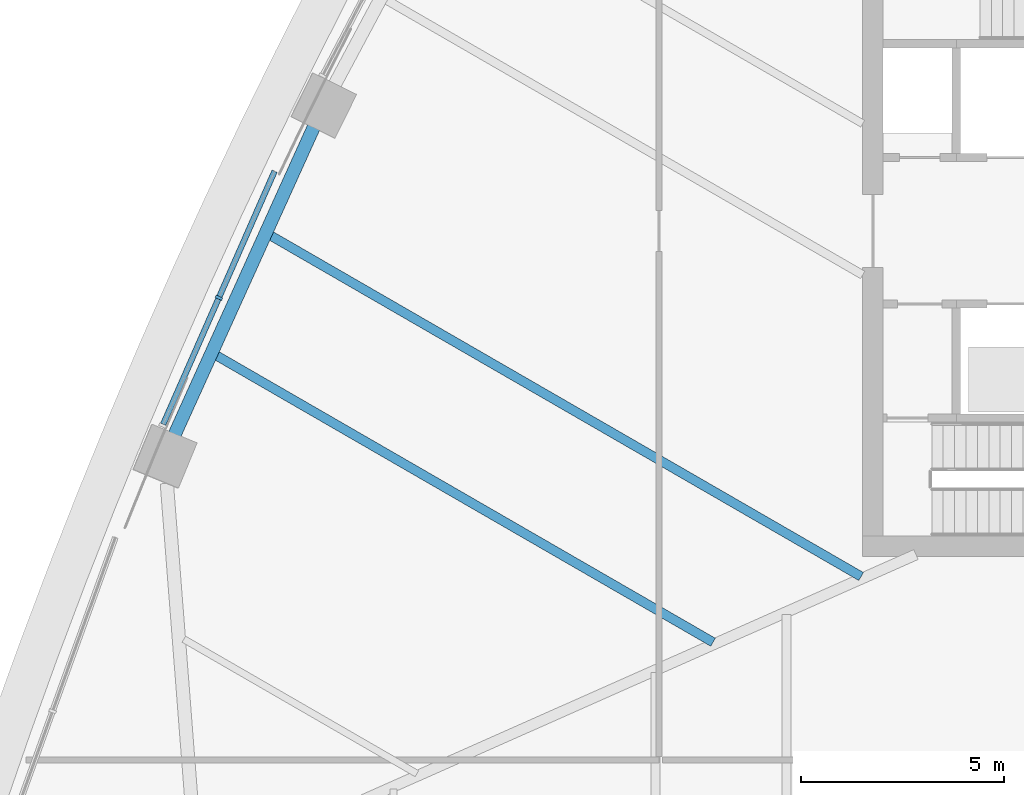
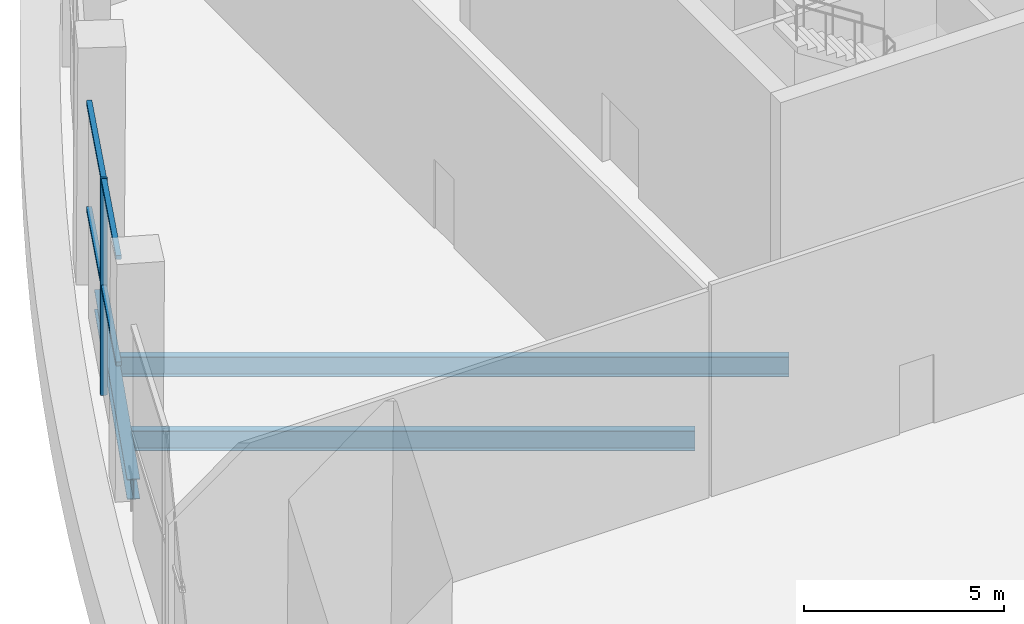
# One storey, part 4 of 23: 5 members, 3 beams, 1 element without a shape of its own.
"""IFC4 building model written with IfcOpenShell, lengths in metres."""

from ifc_helpers import new_model, si_unit, direction, frame, origin, origin_2d, place, context, subcontext, project, spatial, rectangle, i_section, extrude, material, layer, layer_set, material_profile, profile_set, type_object, element, aggregate, save


model = new_model("IFC4")

# Units and contexts
model_context = context("Model", 3, precision=1e-05, world=origin(), true_north=direction((0.0, 1.0)))
body_context = subcontext(model_context, "Body", "Model", "MODEL_VIEW")
ifc_project = project(units=[si_unit("LENGTHUNIT", "METRE"), si_unit("AREAUNIT", "SQUARE_METRE"), si_unit("VOLUMEUNIT", "CUBIC_METRE"), si_unit("PLANEANGLEUNIT", "RADIAN"), si_unit("MASSUNIT", "GRAM", prefix="KILO")], contexts=[model_context])

# Site, building, storey
site_placement = place(None, origin())
site = spatial("IfcSite", under=ifc_project, at=site_placement, CompositionType="ELEMENT")
building_placement = place(site_placement, origin())
building = spatial("IfcBuilding", under=site, at=building_placement, Name="Sierra Prisma Convention Tower", CompositionType="ELEMENT")
storey_placement = place(building_placement, frame((0.0, 0.0, 40.800048828125)))
storey = spatial("IfcBuildingStorey", under=building, at=storey_placement, Name="L06", CompositionType="ELEMENT", Elevation=40.800048828125)

# Curtain wall, members
ifc_material_1 = material(Name="Aluminium and glass curtain wall", Category="aluminium")
ifc_layer = layer(ifc_material_1, 0.179931640625)
ifc_layer_set = layer_set([ifc_layer], Name="CW-4 Sky lobby double-height curtain wall")
curtain_wall_type = type_object("IfcCurtainWallType", Name="CW-4 Sky lobby double-height curtain wall", PredefinedType="NOTDEFINED", material=ifc_layer_set)
curtain_wall_placement = place(storey_placement, origin())
curtain_wall = element("IfcCurtainWall", 1, at=curtain_wall_placement, inside=storey, type_object=curtain_wall_type, Name="CW-4 NW5 L06", PredefinedType="NOTDEFINED")
ifc_material_2 = material(Name="Aluminium 6063-T6 bronze anodised", Category="aluminium")
ifc_material_profile_1 = material_profile(ifc_material_2, rectangle(XDim=0.179931640625, YDim=0.070068359375, at=origin_2d()), Name="ALU MULLION 70x180")
ifc_profile_set_1 = profile_set([ifc_material_profile_1], Name="Aluminium 6063-T6 bronze anodised")
member_type_1 = type_object("IfcMemberType", Name="CW mullion bronze", PredefinedType="MULLION", material=ifc_profile_set_1)
member_1_placement = place(storey_placement, frame((-26.81884765625, -1.642333984375, 0.0), z_axis=(0.0, 0.0, 1.0), x_axis=(0.915207126716, -0.40298376544, 0.0)))
member_1 = element("IfcMember", 2, at=member_1_placement, type_object=member_type_1, Name="CW-4 mullion NW5.2", PredefinedType="MULLION", context=body_context, shape_type="SweptSolid", body=[
    extrude(rectangle(XDim=0.179931640625, YDim=0.070068359375, at=origin_2d()), origin(), (0.0, 0.0, 1.0), 6.599853515625),
])
ifc_material_3 = material(Name="Aluminium 6063-T6 bronze anodised", Category="aluminium")
ifc_material_profile_2 = material_profile(ifc_material_3, rectangle(XDim=0.139892578125, YDim=0.1201171875, at=origin_2d()), Name="ALU TRANSOM 120x140")
ifc_profile_set_2 = profile_set([ifc_material_profile_2], Name="Aluminium 6063-T6 bronze anodised")
member_type_2 = type_object("IfcMemberType", Name="CW transom bronze", PredefinedType="USERDEFINED", material=ifc_profile_set_2)
member_2_placement = place(storey_placement, frame((-25.449951171875, 1.466064453125, 6.5400390625), z_axis=(-0.403016064248, -0.915192904233, 0.0), x_axis=(0.915192904233, -0.403016064248, 0.0)))
member_2 = element("IfcMember", 3, at=member_2_placement, type_object=member_type_2, Name="CW-4 transom NW5.1", ObjectType="TRANSOM", PredefinedType="USERDEFINED", context=body_context, shape_type="SweptSolid", body=[
    extrude(rectangle(XDim=0.139892578125, YDim=0.1201171875, at=origin_2d()), origin(), (0.0, 0.0, 1.0), 3.361572265625),
])
member_3_placement = place(storey_placement, frame((-25.449951171875, 1.466064453125, 3.300048828125), z_axis=(-0.403016064248, -0.915192904233, 0.0), x_axis=(0.915192904233, -0.403016064248, 0.0)))
member_3 = element("IfcMember", 4, at=member_3_placement, type_object=member_type_2, Name="CW-4 transom NW5.1 mid", ObjectType="TRANSOM", PredefinedType="USERDEFINED", context=body_context, shape_type="SweptSolid", body=[
    extrude(rectangle(XDim=0.139892578125, YDim=0.1201171875, at=origin_2d()), origin(), (0.0, 0.0, 1.0), 3.361572265625),
])
member_4_placement = place(storey_placement, frame((-26.832763671875, -1.67431640625, 6.5400390625), z_axis=(-0.402989277711, -0.915204699534, 0.0), x_axis=(0.915204699534, -0.402989277711, 0.0)))
member_4 = element("IfcMember", 5, at=member_4_placement, type_object=member_type_2, Name="CW-4 transom NW5.2", ObjectType="TRANSOM", PredefinedType="USERDEFINED", context=body_context, shape_type="SweptSolid", body=[
    extrude(rectangle(XDim=0.139892578125, YDim=0.1201171875, at=origin_2d()), origin(), (0.0, 0.0, 1.0), 3.36181640625),
])
member_5_placement = place(storey_placement, frame((-26.832763671875, -1.67431640625, 3.300048828125), z_axis=(-0.402989277711, -0.915204699534, 0.0), x_axis=(0.915204699534, -0.402989277711, 0.0)))
member_5 = element("IfcMember", 6, at=member_5_placement, type_object=member_type_2, Name="CW-4 transom NW5.2 mid", ObjectType="TRANSOM", PredefinedType="USERDEFINED", context=body_context, shape_type="SweptSolid", body=[
    extrude(rectangle(XDim=0.139892578125, YDim=0.1201171875, at=origin_2d()), origin(), (0.0, 0.0, 1.0), 3.36181640625),
])
aggregate(curtain_wall, [member_1, member_2, member_3, member_4, member_5])

# Beams
ifc_material_4 = material(Name="Steel ASTM A992 Gr 50", Category="steel")
ifc_material_profile_3 = material_profile(ifc_material_4, i_section(OverallWidth=0.22802734375, OverallDepth=0.60302734375, WebThickness=0.010498046875, FlangeThickness=0.014892578125, at=origin_2d()), Name="W610x101")
ifc_profile_set_3 = profile_set([ifc_material_profile_3], Name="Steel ASTM A992 Gr 50")
beam_type_1 = type_object("IfcBeamType", Name="Floor joist W610x101", PredefinedType="JOIST", material=ifc_profile_set_3)
beam_1_placement = place(storey_placement, frame((-25.56494140625, -0.1044921875, -0.45166015625), z_axis=(0.866022225633, -0.500005504679, 0.0), x_axis=(0.500005504679, 0.866022225633, 0.0)))
element("IfcBeam", 7, at=beam_1_placement, inside=storey, type_object=beam_type_1, Name="Floor joist L06 NW13", PredefinedType="JOIST", context=body_context, shape_type="SweptSolid", body=[
    extrude(i_section(OverallWidth=0.22802734375, OverallDepth=0.60302734375, WebThickness=0.010498046875, FlangeThickness=0.014892578125, at=origin_2d()), origin(), (0.0, 0.0, 1.0), 16.774169921875),
])
beam_2_placement = place(storey_placement, frame((-26.8984375, -3.05078125, -0.45166015625), z_axis=(0.866026560962, -0.499997995704, 0.0), x_axis=(0.499997995704, 0.866026560962, 0.0)))
element("IfcBeam", 8, at=beam_2_placement, inside=storey, type_object=beam_type_1, Name="Floor joist L06 NW14", PredefinedType="JOIST", context=body_context, shape_type="SweptSolid", body=[
    extrude(i_section(OverallWidth=0.22802734375, OverallDepth=0.60302734375, WebThickness=0.010498046875, FlangeThickness=0.014892578125, at=origin_2d()), origin(), (0.0, 0.0, 1.0), 14.1123046875),
])
ifc_material_5 = material(Name="Steel ASTM A992 Gr 50", Category="steel")
ifc_material_profile_4 = material_profile(ifc_material_5, i_section(OverallWidth=0.324951171875, OverallDepth=0.615966796875, WebThickness=0.013916015625, FlangeThickness=0.021484375, at=origin_2d()), Name="W610x174")
ifc_profile_set_4 = profile_set([ifc_material_profile_4], Name="Steel ASTM A992 Gr 50")
beam_type_2 = type_object("IfcBeamType", Name="Spandrel beam W610x174", PredefinedType="BEAM", material=ifc_profile_set_4)
beam_3_placement = place(storey_placement, frame((-24.487060546875, 2.55078125, -0.4580078125), z_axis=(-0.412304467904, -0.911046116147, 0.0), x_axis=(0.911046116147, -0.412304467904, 0.0)))
element("IfcBeam", 9, at=beam_3_placement, inside=storey, type_object=beam_type_2, Name="Spandrel L06-17", PredefinedType="BEAM", context=body_context, shape_type="SweptSolid", body=[
    extrude(i_section(OverallWidth=0.324951171875, OverallDepth=0.615966796875, WebThickness=0.013916015625, FlangeThickness=0.021484375, at=origin_2d()), origin(), (0.0, 0.0, 1.0), 8.30126953125),
])

save(model, "model.ifc")
